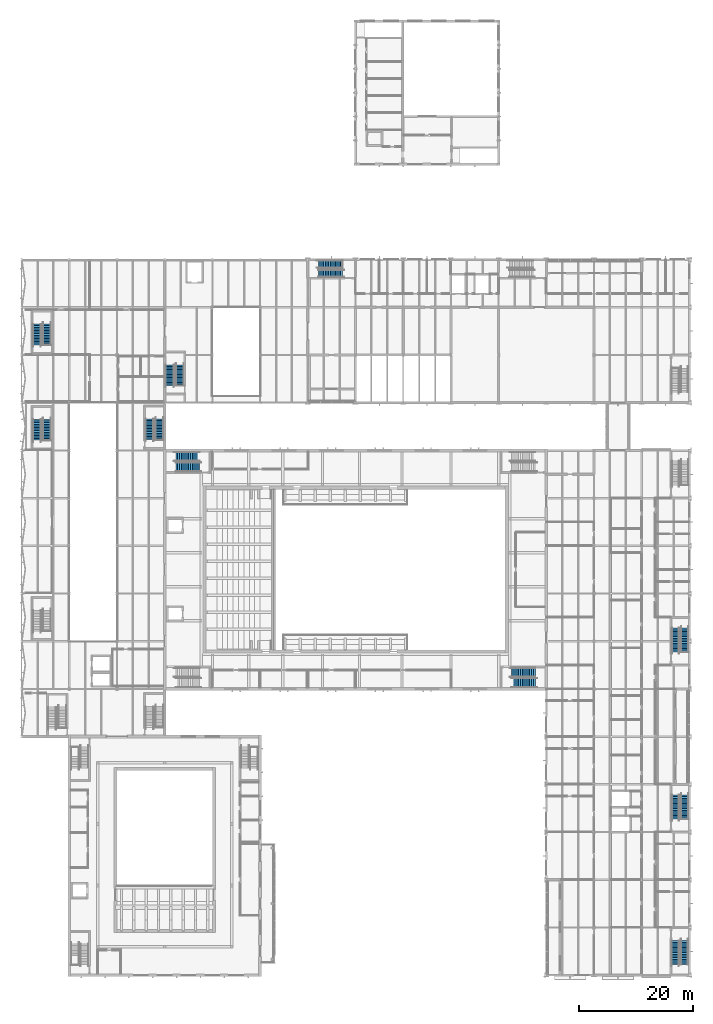
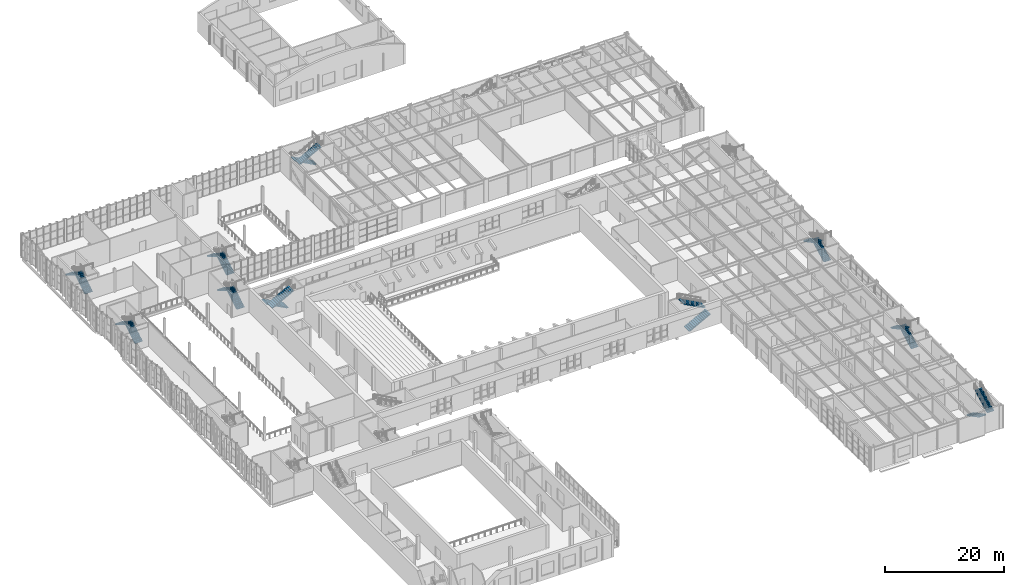
# One storey, part 86 of 127: 20 stair flights, 10 elements without a shape of their own.
"""IFC4 building model written with IfcOpenShell, lengths in metres."""

from ifc_helpers import new_model, si_unit, direction, frame, origin, place, context, subcontext, project, spatial, polyline, outline, extrude, material, type_object, element, aggregate, save


model = new_model("IFC4")

# Units and contexts
model_context = context("Model", 3, precision=1e-05, world=origin(), true_north=direction((0.0, 1.0)))
body_context = subcontext(model_context, "Body", "Model", "MODEL_VIEW")
ifc_project = project(units=[si_unit("LENGTHUNIT", "METRE"), si_unit("AREAUNIT", "SQUARE_METRE"), si_unit("VOLUMEUNIT", "CUBIC_METRE"), si_unit("PLANEANGLEUNIT", "RADIAN"), si_unit("MASSUNIT", "GRAM", prefix="KILO")], contexts=[model_context])

# Site, building, storey
site_placement = place(None, origin())
site = spatial("IfcSite", under=ifc_project, at=site_placement, CompositionType="ELEMENT")
building_placement = place(site_placement, origin())
building = spatial("IfcBuilding", under=site, at=building_placement, Name="Ljudholm Concert House", CompositionType="ELEMENT")
storey_placement = place(building_placement, frame((0.0, 0.0, 5.39990234375)))
storey = spatial("IfcBuildingStorey", under=building, at=storey_placement, Name="L01", CompositionType="ELEMENT", Elevation=5.39990234375)

# Stair, stair flights
ifc_material_1 = material(Name="Concrete 5,000 psi", Category="concrete")
stair_type_1 = type_object("IfcStairType", Name="RC STAIR 1350x160x300", PredefinedType="HALF_TURN_STAIR", material=ifc_material_1)
stair_1_placement = place(storey_placement, origin())
stair_1 = element("IfcStair", 1, at=stair_1_placement, inside=storey, type_object=stair_type_1, Name="Stair SB1", PredefinedType="HALF_TURN_STAIR")
ifc_material_2 = material(Name="Concrete 5,000 psi", Category="concrete")
stair_flight_type_1 = type_object("IfcStairFlightType", Name="RC STAIR FLIGHT 1350x160x300", PredefinedType="STRAIGHT", material=ifc_material_2)
stair_flight_1_placement = place(storey_placement, frame((119.125, 10.074951171875, 0.0), z_axis=(0.0, 0.0, 1.0), x_axis=(0.0, -1.0, 0.0)))
stair_flight_1 = element("IfcStairFlight", 2, at=stair_flight_1_placement, type_object=stair_flight_type_1, Name="ST-W01-001 flight 1", NumberOfRisers=15, NumberOfTreads=14, PredefinedType="STRAIGHT", RiserHeight=0.16, TreadLength=0.3, context=body_context, shape_type="SweptSolid", body=[
    extrude(outline(polyline([(0.0, 0.0), (0.0, 0.159912109375), (0.300048828125, 0.159912109375), (0.300048828125, 0.320068359375), (0.60009765625, 0.320068359375), (0.60009765625, 0.47998046875), (0.89990234375, 0.47998046875), (0.89990234375, 0.639892578125), (1.199951171875, 0.639892578125), (1.199951171875, 0.800048828125), (1.5, 0.800048828125), (1.5, 0.9599609375), (1.800048828125, 0.9599609375), (1.800048828125, 1.1201171875), (2.10009765625, 1.1201171875), (2.10009765625, 1.280029296875), (2.39990234375, 1.280029296875), (2.39990234375, 1.43994140625), (2.699951171875, 1.43994140625), (2.699951171875, 1.60009765625), (3.0, 1.60009765625), (3.0, 1.760009765625), (3.300048828125, 1.760009765625), (3.300048828125, 1.919921875), (3.60009765625, 1.919921875), (3.60009765625, 2.080078125), (3.89990234375, 2.080078125), (3.89990234375, 2.239990234375), (4.199951171875, 2.239990234375), (4.199951171875, 2.39990234375), (4.199951171875, 2.070068359375), (0.318603515625, 0.0), (0.0, 0.0)])), frame((0.0, 0.675048828125, 0.0), z_axis=(0.0, -1.0, 0.0), x_axis=(1.0, 0.0, 0.0)), (0.0, 0.0, 1.0), 1.35009765625),
])
stair_flight_2_placement = place(storey_placement, frame((120.72509765625, 5.875, 2.400146484375), z_axis=(0.0, 0.0, 1.0), x_axis=(0.0, 1.0, 0.0)))
stair_flight_2 = element("IfcStairFlight", 3, at=stair_flight_2_placement, type_object=stair_flight_type_1, Name="ST-W01-001 flight 2", NumberOfRisers=15, NumberOfTreads=14, PredefinedType="STRAIGHT", RiserHeight=0.16, TreadLength=0.3, context=body_context, shape_type="SweptSolid", body=[
    extrude(outline(polyline([(0.0, 0.0), (0.0, 0.159912109375), (0.300048828125, 0.159912109375), (0.300048828125, 0.320068359375), (0.60009765625, 0.320068359375), (0.60009765625, 0.47998046875), (0.89990234375, 0.47998046875), (0.89990234375, 0.639892578125), (1.199951171875, 0.639892578125), (1.199951171875, 0.800048828125), (1.5, 0.800048828125), (1.5, 0.9599609375), (1.800048828125, 0.9599609375), (1.800048828125, 1.1201171875), (2.10009765625, 1.1201171875), (2.10009765625, 1.280029296875), (2.39990234375, 1.280029296875), (2.39990234375, 1.43994140625), (2.699951171875, 1.43994140625), (2.699951171875, 1.60009765625), (3.0, 1.60009765625), (3.0, 1.760009765625), (3.300048828125, 1.760009765625), (3.300048828125, 1.919921875), (3.60009765625, 1.919921875), (3.60009765625, 2.080078125), (3.89990234375, 2.080078125), (3.89990234375, 2.239990234375), (4.199951171875, 2.239990234375), (4.199951171875, 2.39990234375), (4.199951171875, 2.070068359375), (0.318603515625, 0.0), (0.0, 0.0)])), frame((0.0, 0.675048828125, 0.0), z_axis=(0.0, -1.0, 0.0), x_axis=(1.0, 0.0, 0.0)), (0.0, 0.0, 1.0), 1.35009765625),
])
aggregate(stair_1, [stair_flight_1, stair_flight_2])

stair_2_placement = place(storey_placement, origin())
stair_2 = element("IfcStair", 4, at=stair_2_placement, inside=storey, type_object=stair_type_1, Name="Stair SB2", PredefinedType="HALF_TURN_STAIR")
stair_flight_3_placement = place(storey_placement, frame((120.77490234375, 31.52490234375, 0.0), z_axis=(0.0, 0.0, 1.0), x_axis=(0.0, 1.0, 0.0)))
stair_flight_3 = element("IfcStairFlight", 5, at=stair_flight_3_placement, type_object=stair_flight_type_1, Name="ST-W01-002 flight 1", NumberOfRisers=15, NumberOfTreads=14, PredefinedType="STRAIGHT", RiserHeight=0.16, TreadLength=0.3, context=body_context, shape_type="SweptSolid", body=[
    extrude(outline(polyline([(0.0, 0.0), (0.0, 0.159912109375), (0.300048828125, 0.159912109375), (0.300048828125, 0.320068359375), (0.60009765625, 0.320068359375), (0.60009765625, 0.47998046875), (0.89990234375, 0.47998046875), (0.89990234375, 0.639892578125), (1.199951171875, 0.639892578125), (1.199951171875, 0.800048828125), (1.5, 0.800048828125), (1.5, 0.9599609375), (1.800048828125, 0.9599609375), (1.800048828125, 1.1201171875), (2.10009765625, 1.1201171875), (2.10009765625, 1.280029296875), (2.39990234375, 1.280029296875), (2.39990234375, 1.43994140625), (2.699951171875, 1.43994140625), (2.699951171875, 1.60009765625), (3.0, 1.60009765625), (3.0, 1.760009765625), (3.300048828125, 1.760009765625), (3.300048828125, 1.919921875), (3.60009765625, 1.919921875), (3.60009765625, 2.080078125), (3.89990234375, 2.080078125), (3.89990234375, 2.239990234375), (4.199951171875, 2.239990234375), (4.199951171875, 2.39990234375), (4.199951171875, 2.070068359375), (0.318603515625, 0.0), (0.0, 0.0)])), frame((0.0, 0.675048828125, 0.0), z_axis=(0.0, -1.0, 0.0), x_axis=(1.0, 0.0, 0.0)), (0.0, 0.0, 1.0), 1.35009765625),
])
stair_flight_4_placement = place(storey_placement, frame((119.175048828125, 35.72509765625, 2.400146484375), z_axis=(0.0, 0.0, 1.0), x_axis=(0.0, -1.0, 0.0)))
stair_flight_4 = element("IfcStairFlight", 6, at=stair_flight_4_placement, type_object=stair_flight_type_1, Name="ST-W01-002 flight 2", NumberOfRisers=15, NumberOfTreads=14, PredefinedType="STRAIGHT", RiserHeight=0.16, TreadLength=0.3, context=body_context, shape_type="SweptSolid", body=[
    extrude(outline(polyline([(0.0, 0.0), (0.0, 0.159912109375), (0.300048828125, 0.159912109375), (0.300048828125, 0.320068359375), (0.60009765625, 0.320068359375), (0.60009765625, 0.47998046875), (0.89990234375, 0.47998046875), (0.89990234375, 0.639892578125), (1.199951171875, 0.639892578125), (1.199951171875, 0.800048828125), (1.5, 0.800048828125), (1.5, 0.9599609375), (1.800048828125, 0.9599609375), (1.800048828125, 1.1201171875), (2.10009765625, 1.1201171875), (2.10009765625, 1.280029296875), (2.39990234375, 1.280029296875), (2.39990234375, 1.43994140625), (2.699951171875, 1.43994140625), (2.699951171875, 1.60009765625), (3.0, 1.60009765625), (3.0, 1.760009765625), (3.300048828125, 1.760009765625), (3.300048828125, 1.919921875), (3.60009765625, 1.919921875), (3.60009765625, 2.080078125), (3.89990234375, 2.080078125), (3.89990234375, 2.239990234375), (4.199951171875, 2.239990234375), (4.199951171875, 2.39990234375), (4.199951171875, 2.070068359375), (0.318603515625, 0.0), (0.0, 0.0)])), frame((0.0, 0.675048828125, 0.0), z_axis=(0.0, -1.0, 0.0), x_axis=(1.0, 0.0, 0.0)), (0.0, 0.0, 1.0), 1.35009765625),
])
aggregate(stair_2, [stair_flight_3, stair_flight_4])

stair_3_placement = place(storey_placement, origin())
stair_3 = element("IfcStair", 7, at=stair_3_placement, inside=storey, type_object=stair_type_1, Name="Stair SB3", PredefinedType="HALF_TURN_STAIR")
stair_flight_5_placement = place(storey_placement, frame((120.77490234375, 60.925048828125, 0.0), z_axis=(0.0, 0.0, 1.0), x_axis=(0.0, 1.0, 0.0)))
stair_flight_5 = element("IfcStairFlight", 8, at=stair_flight_5_placement, type_object=stair_flight_type_1, Name="ST-W01-003 flight 1", NumberOfRisers=15, NumberOfTreads=14, PredefinedType="STRAIGHT", RiserHeight=0.16, TreadLength=0.3, context=body_context, shape_type="SweptSolid", body=[
    extrude(outline(polyline([(0.0, 0.0), (0.0, 0.159912109375), (0.300048828125, 0.159912109375), (0.300048828125, 0.320068359375), (0.60009765625, 0.320068359375), (0.60009765625, 0.47998046875), (0.89990234375, 0.47998046875), (0.89990234375, 0.639892578125), (1.199951171875, 0.639892578125), (1.199951171875, 0.800048828125), (1.5, 0.800048828125), (1.5, 0.9599609375), (1.800048828125, 0.9599609375), (1.800048828125, 1.1201171875), (2.10009765625, 1.1201171875), (2.10009765625, 1.280029296875), (2.39990234375, 1.280029296875), (2.39990234375, 1.43994140625), (2.699951171875, 1.43994140625), (2.699951171875, 1.60009765625), (3.0, 1.60009765625), (3.0, 1.760009765625), (3.300048828125, 1.760009765625), (3.300048828125, 1.919921875), (3.60009765625, 1.919921875), (3.60009765625, 2.080078125), (3.89990234375, 2.080078125), (3.89990234375, 2.239990234375), (4.199951171875, 2.239990234375), (4.199951171875, 2.39990234375), (4.199951171875, 2.070068359375), (0.318603515625, 0.0), (0.0, 0.0)])), frame((0.0, 0.675048828125, 0.0), z_axis=(0.0, -1.0, 0.0), x_axis=(1.0, 0.0, 0.0)), (0.0, 0.0, 1.0), 1.35009765625),
])
stair_flight_6_placement = place(storey_placement, frame((119.175048828125, 65.125, 2.400146484375), z_axis=(0.0, 0.0, 1.0), x_axis=(0.0, -1.0, 0.0)))
stair_flight_6 = element("IfcStairFlight", 9, at=stair_flight_6_placement, type_object=stair_flight_type_1, Name="ST-W01-003 flight 2", NumberOfRisers=15, NumberOfTreads=14, PredefinedType="STRAIGHT", RiserHeight=0.16, TreadLength=0.3, context=body_context, shape_type="SweptSolid", body=[
    extrude(outline(polyline([(0.0, 0.0), (0.0, 0.159912109375), (0.300048828125, 0.159912109375), (0.300048828125, 0.320068359375), (0.60009765625, 0.320068359375), (0.60009765625, 0.47998046875), (0.89990234375, 0.47998046875), (0.89990234375, 0.639892578125), (1.199951171875, 0.639892578125), (1.199951171875, 0.800048828125), (1.5, 0.800048828125), (1.5, 0.9599609375), (1.800048828125, 0.9599609375), (1.800048828125, 1.1201171875), (2.10009765625, 1.1201171875), (2.10009765625, 1.280029296875), (2.39990234375, 1.280029296875), (2.39990234375, 1.43994140625), (2.699951171875, 1.43994140625), (2.699951171875, 1.60009765625), (3.0, 1.60009765625), (3.0, 1.760009765625), (3.300048828125, 1.760009765625), (3.300048828125, 1.919921875), (3.60009765625, 1.919921875), (3.60009765625, 2.080078125), (3.89990234375, 2.080078125), (3.89990234375, 2.239990234375), (4.199951171875, 2.239990234375), (4.199951171875, 2.39990234375), (4.199951171875, 2.070068359375), (0.318603515625, 0.0), (0.0, 0.0)])), frame((0.0, 0.675048828125, 0.0), z_axis=(0.0, -1.0, 0.0), x_axis=(1.0, 0.0, 0.0)), (0.0, 0.0, 1.0), 1.35009765625),
])
aggregate(stair_3, [stair_flight_5, stair_flight_6])

stair_4_placement = place(storey_placement, origin())
stair_4 = element("IfcStair", 10, at=stair_4_placement, inside=storey, type_object=stair_type_1, Name="Stair R1", PredefinedType="HALF_TURN_STAIR")
stair_flight_7_placement = place(storey_placement, frame((60.47509765625, 129.175048828125, 0.0), z_axis=(0.0, 0.0, 1.0), x_axis=(-1.0, 0.0, 0.0)))
stair_flight_7 = element("IfcStairFlight", 11, at=stair_flight_7_placement, type_object=stair_flight_type_1, Name="ST-R01-001 flight 1", NumberOfRisers=15, NumberOfTreads=14, PredefinedType="STRAIGHT", RiserHeight=0.16, TreadLength=0.3, context=body_context, shape_type="SweptSolid", body=[
    extrude(outline(polyline([(0.0, 0.0), (0.0, 0.159912109375), (0.300048828125, 0.159912109375), (0.300048828125, 0.320068359375), (0.60009765625, 0.320068359375), (0.60009765625, 0.47998046875), (0.89990234375, 0.47998046875), (0.89990234375, 0.639892578125), (1.199951171875, 0.639892578125), (1.199951171875, 0.800048828125), (1.5, 0.800048828125), (1.5, 0.9599609375), (1.800048828125, 0.9599609375), (1.800048828125, 1.1201171875), (2.10009765625, 1.1201171875), (2.10009765625, 1.280029296875), (2.39990234375, 1.280029296875), (2.39990234375, 1.43994140625), (2.699951171875, 1.43994140625), (2.699951171875, 1.60009765625), (3.0, 1.60009765625), (3.0, 1.760009765625), (3.300048828125, 1.760009765625), (3.300048828125, 1.919921875), (3.60009765625, 1.919921875), (3.60009765625, 2.080078125), (3.89990234375, 2.080078125), (3.89990234375, 2.239990234375), (4.199951171875, 2.239990234375), (4.199951171875, 2.39990234375), (4.199951171875, 2.070068359375), (0.318603515625, 0.0), (0.0, 0.0)])), frame((0.0, 0.675048828125, 0.0), z_axis=(0.0, -1.0, 0.0), x_axis=(1.0, 0.0, 0.0)), (0.0, 0.0, 1.0), 1.35009765625),
])
stair_flight_8_placement = place(storey_placement, frame((56.27490234375, 127.574951171875, 2.400146484375), z_axis=(0.0, 0.0, 1.0), x_axis=(1.0, 0.0, 0.0)))
stair_flight_8 = element("IfcStairFlight", 12, at=stair_flight_8_placement, type_object=stair_flight_type_1, Name="ST-R01-001 flight 2", NumberOfRisers=15, NumberOfTreads=14, PredefinedType="STRAIGHT", RiserHeight=0.16, TreadLength=0.3, context=body_context, shape_type="SweptSolid", body=[
    extrude(outline(polyline([(0.0, 0.0), (0.0, 0.159912109375), (0.300048828125, 0.159912109375), (0.300048828125, 0.320068359375), (0.60009765625, 0.320068359375), (0.60009765625, 0.47998046875), (0.89990234375, 0.47998046875), (0.89990234375, 0.639892578125), (1.199951171875, 0.639892578125), (1.199951171875, 0.800048828125), (1.5, 0.800048828125), (1.5, 0.9599609375), (1.800048828125, 0.9599609375), (1.800048828125, 1.1201171875), (2.10009765625, 1.1201171875), (2.10009765625, 1.280029296875), (2.39990234375, 1.280029296875), (2.39990234375, 1.43994140625), (2.699951171875, 1.43994140625), (2.699951171875, 1.60009765625), (3.0, 1.60009765625), (3.0, 1.760009765625), (3.300048828125, 1.760009765625), (3.300048828125, 1.919921875), (3.60009765625, 1.919921875), (3.60009765625, 2.080078125), (3.89990234375, 2.080078125), (3.89990234375, 2.239990234375), (4.199951171875, 2.239990234375), (4.199951171875, 2.39990234375), (4.199951171875, 2.070068359375), (0.318603515625, 0.0), (0.0, 0.0)])), frame((0.0, 0.675048828125, 0.0), z_axis=(0.0, -1.0, 0.0), x_axis=(1.0, 0.0, 0.0)), (0.0, 0.0, 1.0), 1.35009765625),
])
aggregate(stair_4, [stair_flight_7, stair_flight_8])

ifc_material_3 = material(Name="Concrete 5,000 psi", Category="concrete")
stair_type_2 = type_object("IfcStairType", Name="RC STAIR 1500x171x280", PredefinedType="HALF_TURN_STAIR", material=ifc_material_3)
stair_5_placement = place(storey_placement, origin())
stair_5 = element("IfcStair", 13, at=stair_5_placement, inside=storey, type_object=stair_type_2, Name="Stair", PredefinedType="HALF_TURN_STAIR")
ifc_material_4 = material(Name="Concrete 5,000 psi", Category="concrete")
stair_flight_type_2 = type_object("IfcStairFlightType", Name="RC STAIR FLIGHT 1500x171x280", PredefinedType="STRAIGHT", material=ifc_material_4)
stair_flight_9_placement = place(storey_placement, frame((28.300048828125, 98.300048828125, 0.0), z_axis=(0.0, 0.0, 1.0), x_axis=(0.0, 1.0, 0.0)))
stair_flight_9 = element("IfcStairFlight", 14, at=stair_flight_9_placement, type_object=stair_flight_type_2, Name="ST-S01-003 flight 1", NumberOfRisers=14, NumberOfTreads=13, PredefinedType="STRAIGHT", RiserHeight=0.171428571, TreadLength=0.28, context=body_context, shape_type="SweptSolid", body=[
    extrude(outline(polyline([(0.0, 0.0), (0.0, 0.17138671875), (0.280029296875, 0.17138671875), (0.280029296875, 0.3427734375), (0.56005859375, 0.3427734375), (0.56005859375, 0.514404296875), (0.840087890625, 0.514404296875), (0.840087890625, 0.685791015625), (1.1201171875, 0.685791015625), (1.1201171875, 0.857177734375), (1.39990234375, 0.857177734375), (1.39990234375, 1.028564453125), (1.679931640625, 1.028564453125), (1.679931640625, 1.199951171875), (1.9599609375, 1.199951171875), (1.9599609375, 1.371337890625), (2.239990234375, 1.371337890625), (2.239990234375, 1.54296875), (2.52001953125, 1.54296875), (2.52001953125, 1.71435546875), (2.800048828125, 1.71435546875), (2.800048828125, 1.8857421875), (3.080078125, 1.8857421875), (3.080078125, 2.05712890625), (3.360107421875, 2.05712890625), (3.360107421875, 2.228515625), (3.639892578125, 2.228515625), (3.639892578125, 2.39990234375), (3.639892578125, 2.052734375), (0.287109375, 0.0), (0.0, 0.0)])), frame((0.0, 0.75, 0.0), z_axis=(0.0, -1.0, 0.0), x_axis=(1.0, 0.0, 0.0)), (0.0, 0.0, 1.0), 1.5),
])
stair_flight_10_placement = place(storey_placement, frame((26.550048828125, 101.93994140625, 2.400146484375), z_axis=(0.0, 0.0, 1.0), x_axis=(0.0, -1.0, 0.0)))
stair_flight_10 = element("IfcStairFlight", 15, at=stair_flight_10_placement, type_object=stair_flight_type_2, Name="ST-S01-003 flight 2", NumberOfRisers=14, NumberOfTreads=13, PredefinedType="STRAIGHT", RiserHeight=0.171428571, TreadLength=0.28, context=body_context, shape_type="SweptSolid", body=[
    extrude(outline(polyline([(0.0, 0.0), (0.0, 0.17138671875), (0.280029296875, 0.17138671875), (0.280029296875, 0.3427734375), (0.56005859375, 0.3427734375), (0.56005859375, 0.514404296875), (0.840087890625, 0.514404296875), (0.840087890625, 0.685791015625), (1.1201171875, 0.685791015625), (1.1201171875, 0.857177734375), (1.39990234375, 0.857177734375), (1.39990234375, 1.028564453125), (1.679931640625, 1.028564453125), (1.679931640625, 1.199951171875), (1.9599609375, 1.199951171875), (1.9599609375, 1.371337890625), (2.239990234375, 1.371337890625), (2.239990234375, 1.54296875), (2.52001953125, 1.54296875), (2.52001953125, 1.71435546875), (2.800048828125, 1.71435546875), (2.800048828125, 1.8857421875), (3.080078125, 1.8857421875), (3.080078125, 2.05712890625), (3.360107421875, 2.05712890625), (3.360107421875, 2.228515625), (3.639892578125, 2.228515625), (3.639892578125, 2.39990234375), (3.639892578125, 2.052734375), (0.287109375, 0.0), (0.0, 0.0)])), frame((0.0, 0.75, 0.0), z_axis=(0.0, -1.0, 0.0), x_axis=(1.0, 0.0, 0.0)), (0.0, 0.0, 1.0), 1.5),
])
aggregate(stair_5, [stair_flight_9, stair_flight_10])

stair_6_placement = place(storey_placement, origin())
stair_6 = element("IfcStair", 16, at=stair_6_placement, inside=storey, type_object=stair_type_2, Name="Stair", PredefinedType="HALF_TURN_STAIR")
stair_flight_11_placement = place(storey_placement, frame((8.449951171875, 98.199951171875, 0.0), z_axis=(0.0, 0.0, 1.0), x_axis=(0.0, 1.0, 0.0)))
stair_flight_11 = element("IfcStairFlight", 17, at=stair_flight_11_placement, type_object=stair_flight_type_2, Name="ST-S01-005 flight 1", NumberOfRisers=14, NumberOfTreads=13, PredefinedType="STRAIGHT", RiserHeight=0.171428571, TreadLength=0.28, context=body_context, shape_type="SweptSolid", body=[
    extrude(outline(polyline([(0.0, 0.0), (0.0, 0.17138671875), (0.280029296875, 0.17138671875), (0.280029296875, 0.3427734375), (0.56005859375, 0.3427734375), (0.56005859375, 0.514404296875), (0.840087890625, 0.514404296875), (0.840087890625, 0.685791015625), (1.1201171875, 0.685791015625), (1.1201171875, 0.857177734375), (1.39990234375, 0.857177734375), (1.39990234375, 1.028564453125), (1.679931640625, 1.028564453125), (1.679931640625, 1.199951171875), (1.9599609375, 1.199951171875), (1.9599609375, 1.371337890625), (2.239990234375, 1.371337890625), (2.239990234375, 1.54296875), (2.52001953125, 1.54296875), (2.52001953125, 1.71435546875), (2.800048828125, 1.71435546875), (2.800048828125, 1.8857421875), (3.080078125, 1.8857421875), (3.080078125, 2.05712890625), (3.360107421875, 2.05712890625), (3.360107421875, 2.228515625), (3.639892578125, 2.228515625), (3.639892578125, 2.39990234375), (3.639892578125, 2.052734375), (0.287109375, 0.0), (0.0, 0.0)])), frame((0.0, 0.75, 0.0), z_axis=(0.0, -1.0, 0.0), x_axis=(1.0, 0.0, 0.0)), (0.0, 0.0, 1.0), 1.5),
])
stair_flight_12_placement = place(storey_placement, frame((6.699951171875, 101.840087890625, 2.400146484375), z_axis=(0.0, 0.0, 1.0), x_axis=(0.0, -1.0, 0.0)))
stair_flight_12 = element("IfcStairFlight", 18, at=stair_flight_12_placement, type_object=stair_flight_type_2, Name="ST-S01-005 flight 2", NumberOfRisers=14, NumberOfTreads=13, PredefinedType="STRAIGHT", RiserHeight=0.171428571, TreadLength=0.28, context=body_context, shape_type="SweptSolid", body=[
    extrude(outline(polyline([(0.0, 0.0), (0.0, 0.17138671875), (0.280029296875, 0.17138671875), (0.280029296875, 0.3427734375), (0.56005859375, 0.3427734375), (0.56005859375, 0.514404296875), (0.840087890625, 0.514404296875), (0.840087890625, 0.685791015625), (1.1201171875, 0.685791015625), (1.1201171875, 0.857177734375), (1.39990234375, 0.857177734375), (1.39990234375, 1.028564453125), (1.679931640625, 1.028564453125), (1.679931640625, 1.199951171875), (1.9599609375, 1.199951171875), (1.9599609375, 1.371337890625), (2.239990234375, 1.371337890625), (2.239990234375, 1.54296875), (2.52001953125, 1.54296875), (2.52001953125, 1.71435546875), (2.800048828125, 1.71435546875), (2.800048828125, 1.8857421875), (3.080078125, 1.8857421875), (3.080078125, 2.05712890625), (3.360107421875, 2.05712890625), (3.360107421875, 2.228515625), (3.639892578125, 2.228515625), (3.639892578125, 2.39990234375), (3.639892578125, 2.052734375), (0.287109375, 0.0), (0.0, 0.0)])), frame((0.0, 0.75, 0.0), z_axis=(0.0, -1.0, 0.0), x_axis=(1.0, 0.0, 0.0)), (0.0, 0.0, 1.0), 1.5),
])
aggregate(stair_6, [stair_flight_11, stair_flight_12])

stair_7_placement = place(storey_placement, origin())
stair_7 = element("IfcStair", 19, at=stair_7_placement, inside=storey, type_object=stair_type_2, Name="Stair", PredefinedType="HALF_TURN_STAIR")
stair_flight_13_placement = place(storey_placement, frame((8.449951171875, 115.0, 0.0), z_axis=(0.0, 0.0, 1.0), x_axis=(0.0, 1.0, 0.0)))
stair_flight_13 = element("IfcStairFlight", 20, at=stair_flight_13_placement, type_object=stair_flight_type_2, Name="ST-S01-006 flight 1", NumberOfRisers=14, NumberOfTreads=13, PredefinedType="STRAIGHT", RiserHeight=0.171428571, TreadLength=0.28, context=body_context, shape_type="SweptSolid", body=[
    extrude(outline(polyline([(0.0, 0.0), (0.0, 0.17138671875), (0.280029296875, 0.17138671875), (0.280029296875, 0.3427734375), (0.56005859375, 0.3427734375), (0.56005859375, 0.514404296875), (0.840087890625, 0.514404296875), (0.840087890625, 0.685791015625), (1.1201171875, 0.685791015625), (1.1201171875, 0.857177734375), (1.39990234375, 0.857177734375), (1.39990234375, 1.028564453125), (1.679931640625, 1.028564453125), (1.679931640625, 1.199951171875), (1.9599609375, 1.199951171875), (1.9599609375, 1.371337890625), (2.239990234375, 1.371337890625), (2.239990234375, 1.54296875), (2.52001953125, 1.54296875), (2.52001953125, 1.71435546875), (2.800048828125, 1.71435546875), (2.800048828125, 1.8857421875), (3.080078125, 1.8857421875), (3.080078125, 2.05712890625), (3.360107421875, 2.05712890625), (3.360107421875, 2.228515625), (3.639892578125, 2.228515625), (3.639892578125, 2.39990234375), (3.639892578125, 2.052734375), (0.287109375, 0.0), (0.0, 0.0)])), frame((0.0, 0.75, 0.0), z_axis=(0.0, -1.0, 0.0), x_axis=(1.0, 0.0, 0.0)), (0.0, 0.0, 1.0), 1.5),
])
stair_flight_14_placement = place(storey_placement, frame((6.699951171875, 118.639892578125, 2.400146484375), z_axis=(0.0, 0.0, 1.0), x_axis=(0.0, -1.0, 0.0)))
stair_flight_14 = element("IfcStairFlight", 21, at=stair_flight_14_placement, type_object=stair_flight_type_2, Name="ST-S01-006 flight 2", NumberOfRisers=14, NumberOfTreads=13, PredefinedType="STRAIGHT", RiserHeight=0.171428571, TreadLength=0.28, context=body_context, shape_type="SweptSolid", body=[
    extrude(outline(polyline([(0.0, 0.0), (0.0, 0.17138671875), (0.280029296875, 0.17138671875), (0.280029296875, 0.3427734375), (0.56005859375, 0.3427734375), (0.56005859375, 0.514404296875), (0.840087890625, 0.514404296875), (0.840087890625, 0.685791015625), (1.1201171875, 0.685791015625), (1.1201171875, 0.857177734375), (1.39990234375, 0.857177734375), (1.39990234375, 1.028564453125), (1.679931640625, 1.028564453125), (1.679931640625, 1.199951171875), (1.9599609375, 1.199951171875), (1.9599609375, 1.371337890625), (2.239990234375, 1.371337890625), (2.239990234375, 1.54296875), (2.52001953125, 1.54296875), (2.52001953125, 1.71435546875), (2.800048828125, 1.71435546875), (2.800048828125, 1.8857421875), (3.080078125, 1.8857421875), (3.080078125, 2.05712890625), (3.360107421875, 2.05712890625), (3.360107421875, 2.228515625), (3.639892578125, 2.228515625), (3.639892578125, 2.39990234375), (3.639892578125, 2.052734375), (0.287109375, 0.0), (0.0, 0.0)])), frame((0.0, 0.75, 0.0), z_axis=(0.0, -1.0, 0.0), x_axis=(1.0, 0.0, 0.0)), (0.0, 0.0, 1.0), 1.5),
])
aggregate(stair_7, [stair_flight_13, stair_flight_14])

stair_8_placement = place(storey_placement, origin())
stair_8 = element("IfcStair", 22, at=stair_8_placement, inside=storey, type_object=stair_type_2, Name="Stair", PredefinedType="HALF_TURN_STAIR")
stair_flight_15_placement = place(storey_placement, frame((31.85009765625, 107.830078125, 0.0), z_axis=(0.0, 0.0, 1.0), x_axis=(0.0, 1.0, 0.0)))
stair_flight_15 = element("IfcStairFlight", 23, at=stair_flight_15_placement, type_object=stair_flight_type_2, Name="ST-G01-001 flight 1", NumberOfRisers=14, NumberOfTreads=13, PredefinedType="STRAIGHT", RiserHeight=0.171428571, TreadLength=0.28, context=body_context, shape_type="SweptSolid", body=[
    extrude(outline(polyline([(0.0, 0.0), (0.0, 0.17138671875), (0.280029296875, 0.17138671875), (0.280029296875, 0.3427734375), (0.56005859375, 0.3427734375), (0.56005859375, 0.514404296875), (0.840087890625, 0.514404296875), (0.840087890625, 0.685791015625), (1.1201171875, 0.685791015625), (1.1201171875, 0.857177734375), (1.39990234375, 0.857177734375), (1.39990234375, 1.028564453125), (1.679931640625, 1.028564453125), (1.679931640625, 1.199951171875), (1.9599609375, 1.199951171875), (1.9599609375, 1.371337890625), (2.239990234375, 1.371337890625), (2.239990234375, 1.54296875), (2.52001953125, 1.54296875), (2.52001953125, 1.71435546875), (2.800048828125, 1.71435546875), (2.800048828125, 1.8857421875), (3.080078125, 1.8857421875), (3.080078125, 2.05712890625), (3.360107421875, 2.05712890625), (3.360107421875, 2.228515625), (3.639892578125, 2.228515625), (3.639892578125, 2.39990234375), (3.639892578125, 2.052734375), (0.287109375, 0.0), (0.0, 0.0)])), frame((0.0, 0.75, 0.0), z_axis=(0.0, -1.0, 0.0), x_axis=(1.0, 0.0, 0.0)), (0.0, 0.0, 1.0), 1.5),
])
stair_flight_16_placement = place(storey_placement, frame((30.10009765625, 111.469970703125, 2.400146484375), z_axis=(0.0, 0.0, 1.0), x_axis=(0.0, -1.0, 0.0)))
stair_flight_16 = element("IfcStairFlight", 24, at=stair_flight_16_placement, type_object=stair_flight_type_2, Name="ST-G01-001 flight 2", NumberOfRisers=14, NumberOfTreads=13, PredefinedType="STRAIGHT", RiserHeight=0.171428571, TreadLength=0.28, context=body_context, shape_type="SweptSolid", body=[
    extrude(outline(polyline([(0.0, 0.0), (0.0, 0.17138671875), (0.280029296875, 0.17138671875), (0.280029296875, 0.3427734375), (0.56005859375, 0.3427734375), (0.56005859375, 0.514404296875), (0.840087890625, 0.514404296875), (0.840087890625, 0.685791015625), (1.1201171875, 0.685791015625), (1.1201171875, 0.857177734375), (1.39990234375, 0.857177734375), (1.39990234375, 1.028564453125), (1.679931640625, 1.028564453125), (1.679931640625, 1.199951171875), (1.9599609375, 1.199951171875), (1.9599609375, 1.371337890625), (2.239990234375, 1.371337890625), (2.239990234375, 1.54296875), (2.52001953125, 1.54296875), (2.52001953125, 1.71435546875), (2.800048828125, 1.71435546875), (2.800048828125, 1.8857421875), (3.080078125, 1.8857421875), (3.080078125, 2.05712890625), (3.360107421875, 2.05712890625), (3.360107421875, 2.228515625), (3.639892578125, 2.228515625), (3.639892578125, 2.39990234375), (3.639892578125, 2.052734375), (0.287109375, 0.0), (0.0, 0.0)])), frame((0.0, 0.75, 0.0), z_axis=(0.0, -1.0, 0.0), x_axis=(1.0, 0.0, 0.0)), (0.0, 0.0, 1.0), 1.5),
])
aggregate(stair_8, [stair_flight_15, stair_flight_16])

ifc_material_5 = material(Name="Concrete 5,000 psi", Category="concrete")
stair_type_3 = type_object("IfcStairType", Name="RC STAIR 1700x171x323", PredefinedType="HALF_TURN_STAIR", material=ifc_material_5)
stair_9_placement = place(storey_placement, origin())
stair_9 = element("IfcStair", 25, at=stair_9_placement, inside=storey, type_object=stair_type_3, Name="Exit stair EH2", PredefinedType="HALF_TURN_STAIR")
ifc_material_6 = material(Name="Concrete 5,000 psi", Category="concrete")
stair_flight_type_3 = type_object("IfcStairFlightType", Name="RC STAIR FLIGHT 1700x171x323", PredefinedType="STRAIGHT", material=ifc_material_6)
stair_flight_17_placement = place(storey_placement, frame((35.35009765625, 95.300048828125, 0.0), z_axis=(0.0, 0.0, 1.0), x_axis=(-1.0, 0.0, 0.0)))
stair_flight_17 = element("IfcStairFlight", 26, at=stair_flight_17_placement, type_object=stair_flight_type_3, Name="ST-H01-002 flight 1", NumberOfRisers=14, NumberOfTreads=13, PredefinedType="STRAIGHT", RiserHeight=0.171428571, TreadLength=0.323076923, context=body_context, shape_type="SweptSolid", body=[
    extrude(outline(polyline([(0.0, 0.0), (0.0, 0.17138671875), (0.322998046875, 0.17138671875), (0.322998046875, 0.3427734375), (0.646240234375, 0.3427734375), (0.646240234375, 0.514404296875), (0.96923828125, 0.514404296875), (0.96923828125, 0.685791015625), (1.292236328125, 0.685791015625), (1.292236328125, 0.857177734375), (1.615478515625, 0.857177734375), (1.615478515625, 1.028564453125), (1.9384765625, 1.028564453125), (1.9384765625, 1.199951171875), (2.261474609375, 1.199951171875), (2.261474609375, 1.371337890625), (2.584716796875, 1.371337890625), (2.584716796875, 1.54296875), (2.90771484375, 1.54296875), (2.90771484375, 1.71435546875), (3.230712890625, 1.71435546875), (3.230712890625, 1.8857421875), (3.553955078125, 1.8857421875), (3.553955078125, 2.05712890625), (3.876953125, 2.05712890625), (3.876953125, 2.228515625), (4.199951171875, 2.228515625), (4.199951171875, 2.39990234375), (4.199951171875, 2.058837890625), (0.31982421875, 0.0), (0.0, 0.0)])), frame((0.0, 0.85009765625, 0.0), z_axis=(0.0, -1.0, 0.0), x_axis=(1.0, 0.0, 0.0)), (0.0, 0.0, 1.0), 1.699951171875),
])
stair_flight_18_placement = place(storey_placement, frame((31.14990234375, 93.5, 2.400146484375), z_axis=(0.0, 0.0, 1.0), x_axis=(1.0, 0.0, 0.0)))
stair_flight_18 = element("IfcStairFlight", 27, at=stair_flight_18_placement, type_object=stair_flight_type_3, Name="ST-H01-002 flight 2", NumberOfRisers=14, NumberOfTreads=13, PredefinedType="STRAIGHT", RiserHeight=0.171428571, TreadLength=0.323076923, context=body_context, shape_type="SweptSolid", body=[
    extrude(outline(polyline([(0.0, 0.0), (0.0, 0.17138671875), (0.322998046875, 0.17138671875), (0.322998046875, 0.3427734375), (0.646240234375, 0.3427734375), (0.646240234375, 0.514404296875), (0.96923828125, 0.514404296875), (0.96923828125, 0.685791015625), (1.292236328125, 0.685791015625), (1.292236328125, 0.857177734375), (1.615478515625, 0.857177734375), (1.615478515625, 1.028564453125), (1.9384765625, 1.028564453125), (1.9384765625, 1.199951171875), (2.261474609375, 1.199951171875), (2.261474609375, 1.371337890625), (2.584716796875, 1.371337890625), (2.584716796875, 1.54296875), (2.90771484375, 1.54296875), (2.90771484375, 1.71435546875), (3.230712890625, 1.71435546875), (3.230712890625, 1.8857421875), (3.553955078125, 1.8857421875), (3.553955078125, 2.05712890625), (3.876953125, 2.05712890625), (3.876953125, 2.228515625), (4.199951171875, 2.228515625), (4.199951171875, 2.39990234375), (4.199951171875, 2.058837890625), (0.31982421875, 0.0), (0.0, 0.0)])), frame((0.0, 0.85009765625, 0.0), z_axis=(0.0, -1.0, 0.0), x_axis=(1.0, 0.0, 0.0)), (0.0, 0.0, 1.0), 1.699951171875),
])
aggregate(stair_9, [stair_flight_17, stair_flight_18])

stair_10_placement = place(storey_placement, origin())
stair_10 = element("IfcStair", 28, at=stair_10_placement, inside=storey, type_object=stair_type_3, Name="Exit stair EH3", PredefinedType="HALF_TURN_STAIR")
stair_flight_19_placement = place(storey_placement, frame((90.25, 55.5, 0.0), z_axis=(0.0, 0.0, 1.0), x_axis=(1.0, 0.0, 0.0)))
stair_flight_19 = element("IfcStairFlight", 29, at=stair_flight_19_placement, type_object=stair_flight_type_3, Name="ST-H01-003 flight 1", NumberOfRisers=14, NumberOfTreads=13, PredefinedType="STRAIGHT", RiserHeight=0.171428571, TreadLength=0.323076923, context=body_context, shape_type="SweptSolid", body=[
    extrude(outline(polyline([(0.0, 0.0), (0.0, 0.17138671875), (0.322998046875, 0.17138671875), (0.322998046875, 0.3427734375), (0.646240234375, 0.3427734375), (0.646240234375, 0.514404296875), (0.96923828125, 0.514404296875), (0.96923828125, 0.685791015625), (1.292236328125, 0.685791015625), (1.292236328125, 0.857177734375), (1.615478515625, 0.857177734375), (1.615478515625, 1.028564453125), (1.9384765625, 1.028564453125), (1.9384765625, 1.199951171875), (2.261474609375, 1.199951171875), (2.261474609375, 1.371337890625), (2.584716796875, 1.371337890625), (2.584716796875, 1.54296875), (2.90771484375, 1.54296875), (2.90771484375, 1.71435546875), (3.230712890625, 1.71435546875), (3.230712890625, 1.8857421875), (3.553955078125, 1.8857421875), (3.553955078125, 2.05712890625), (3.876953125, 2.05712890625), (3.876953125, 2.228515625), (4.199951171875, 2.228515625), (4.199951171875, 2.39990234375), (4.199951171875, 2.058837890625), (0.31982421875, 0.0), (0.0, 0.0)])), frame((0.0, 0.85009765625, 0.0), z_axis=(0.0, -1.0, 0.0), x_axis=(1.0, 0.0, 0.0)), (0.0, 0.0, 1.0), 1.699951171875),
])
stair_flight_20_placement = place(storey_placement, frame((94.449951171875, 57.300048828125, 2.400146484375), z_axis=(0.0, 0.0, 1.0), x_axis=(-1.0, 0.0, 0.0)))
stair_flight_20 = element("IfcStairFlight", 30, at=stair_flight_20_placement, type_object=stair_flight_type_3, Name="ST-H01-003 flight 2", NumberOfRisers=14, NumberOfTreads=13, PredefinedType="STRAIGHT", RiserHeight=0.171428571, TreadLength=0.323076923, context=body_context, shape_type="SweptSolid", body=[
    extrude(outline(polyline([(0.0, 0.0), (0.0, 0.17138671875), (0.322998046875, 0.17138671875), (0.322998046875, 0.3427734375), (0.646240234375, 0.3427734375), (0.646240234375, 0.514404296875), (0.96923828125, 0.514404296875), (0.96923828125, 0.685791015625), (1.292236328125, 0.685791015625), (1.292236328125, 0.857177734375), (1.615478515625, 0.857177734375), (1.615478515625, 1.028564453125), (1.9384765625, 1.028564453125), (1.9384765625, 1.199951171875), (2.261474609375, 1.199951171875), (2.261474609375, 1.371337890625), (2.584716796875, 1.371337890625), (2.584716796875, 1.54296875), (2.90771484375, 1.54296875), (2.90771484375, 1.71435546875), (3.230712890625, 1.71435546875), (3.230712890625, 1.8857421875), (3.553955078125, 1.8857421875), (3.553955078125, 2.05712890625), (3.876953125, 2.05712890625), (3.876953125, 2.228515625), (4.199951171875, 2.228515625), (4.199951171875, 2.39990234375), (4.199951171875, 2.058837890625), (0.31982421875, 0.0), (0.0, 0.0)])), frame((0.0, 0.85009765625, 0.0), z_axis=(0.0, -1.0, 0.0), x_axis=(1.0, 0.0, 0.0)), (0.0, 0.0, 1.0), 1.699951171875),
])
aggregate(stair_10, [stair_flight_19, stair_flight_20])

save(model, "model.ifc")
